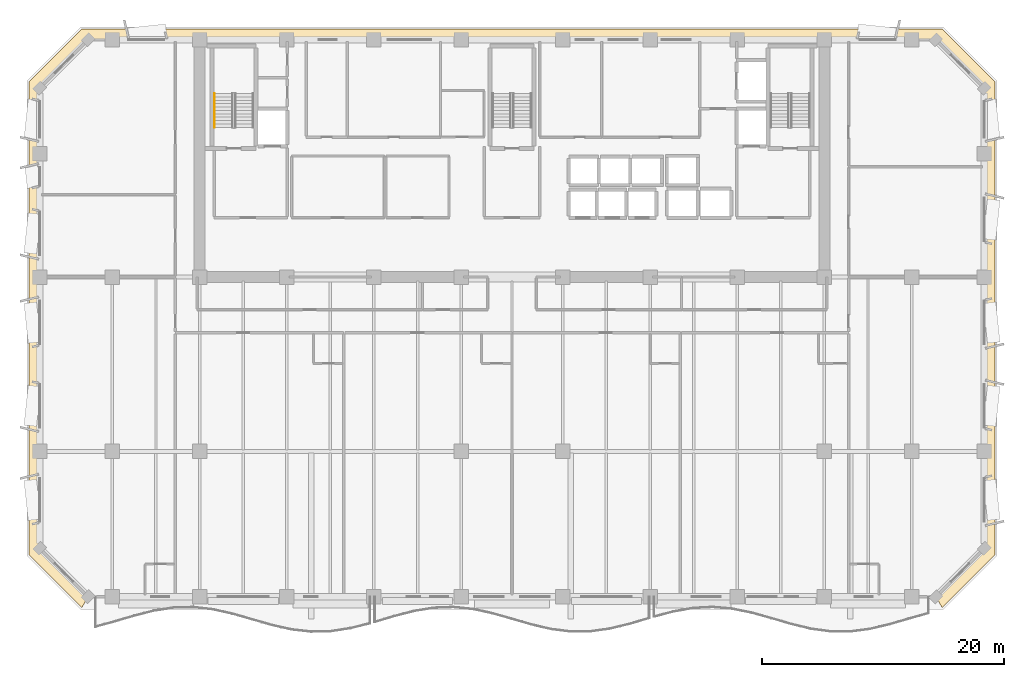
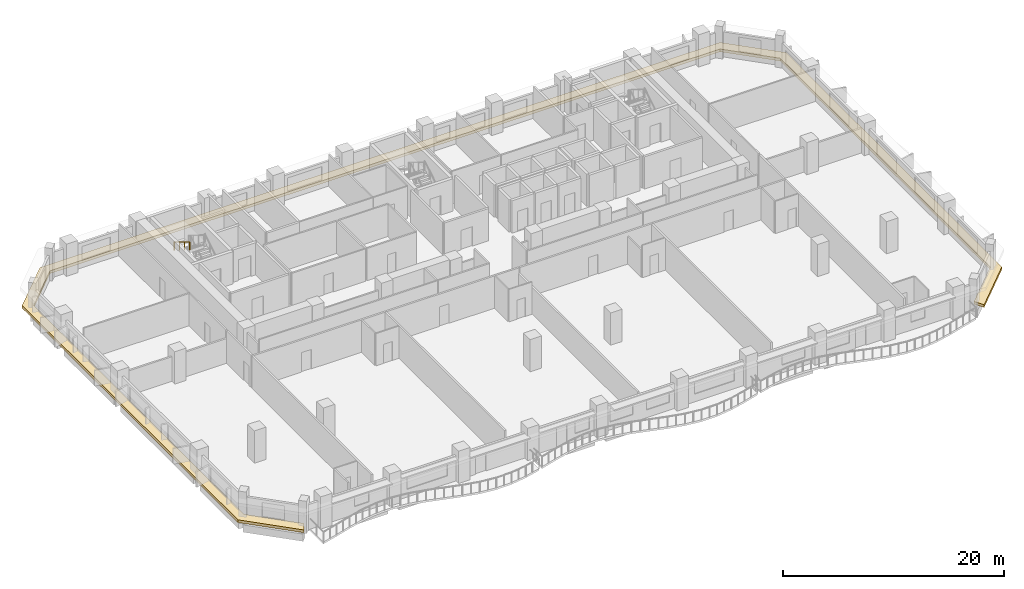
# One storey, part 11 of 14: 1 covering, 1 railing.
"""IFC4 building model written with IfcOpenShell, lengths in metres."""

from ifc_helpers import new_model, si_unit, direction, frame, origin, origin_2d, place, context, subcontext, project, spatial, polyline, rectangle, outline, extrude, material, layer, layer_set, type_object, element, save


model = new_model("IFC4")

# Units and contexts
model_context = context("Model", 3, precision=1e-05, world=origin(), true_north=direction((0.0, 1.0)))
body_context = subcontext(model_context, "Body", "Model", "MODEL_VIEW")
ifc_project = project(units=[si_unit("LENGTHUNIT", "METRE"), si_unit("AREAUNIT", "SQUARE_METRE"), si_unit("VOLUMEUNIT", "CUBIC_METRE"), si_unit("PLANEANGLEUNIT", "RADIAN"), si_unit("MASSUNIT", "GRAM", prefix="KILO")], contexts=[model_context])

# Site, building, storey
site_placement = place(None, origin())
site = spatial("IfcSite", under=ifc_project, at=site_placement, CompositionType="ELEMENT")
building_placement = place(site_placement, origin())
building = spatial("IfcBuilding", under=site, at=building_placement, Name="Kaelvorn Grand Hotel", CompositionType="ELEMENT")
storey_placement = place(building_placement, frame((0.0, 0.0, 220.550048828125)))
storey = spatial("IfcBuildingStorey", under=building, at=storey_placement, Name="L54", CompositionType="ELEMENT", Elevation=220.550048828125)

# Covering
ifc_material_1 = material(Name="Precast concrete C45/55", Category="concrete")
ifc_layer = layer(ifc_material_1, 0.219970703125)
ifc_layer_set = layer_set([ifc_layer], Name="Precast concrete C45/55")
covering_type = type_object("IfcCoveringType", Name="COV-BAND-STREAMLINE-SILL", PredefinedType="CLADDING", material=ifc_layer_set)
covering_placement = place(storey_placement, frame((0.0, 0.0, 0.449951171875)))
element("IfcCovering", 1, at=covering_placement, inside=storey, type_object=covering_type, Name="L54 Streamline Moderne Wraparound Horizontal Sill Spandrel Band", PredefinedType="CLADDING", context=body_context, shape_type="SweptSolid", body=[
    extrude(outline(polyline([(77.515380859375, 2.1201171875), (81.8798828125, 6.484619140625), (81.8798828125, 45.515380859375), (77.515380859375, 49.8798828125), (6.484619140625, 49.8798828125), (2.1201171875, 45.515380859375), (2.1201171875, 6.484619140625), (6.484619140625, 2.1201171875), (7.017578125, 3.030029296875), (3.030029296875, 7.017578125), (3.030029296875, 44.982421875), (7.017578125, 48.969970703125), (76.982421875, 48.969970703125), (80.969970703125, 44.982421875), (80.969970703125, 7.017578125), (76.982421875, 3.030029296875), (77.515380859375, 2.1201171875)])), origin(), (0.0, 0.0, 1.0), 0.300048828125),
])

# Railing
ifc_material_2 = material(Name="Stainless Steel", Category="steel")
railing_type = type_object("IfcRailingType", Name="RL-HANDRAIL-900", PredefinedType="HANDRAIL", material=ifc_material_2)
railing_placement = place(storey_placement, frame((17.449951171875, 44.56005859375, 2.07275390625)))
element("IfcRailing", 2, at=railing_placement, inside=storey, type_object=railing_type, Name="L54 ST1 stair handrail 2", PredefinedType="HANDRAIL", context=body_context, shape_type="SweptSolid", body=[
    extrude(rectangle(XDim=0.048095703125, YDim=0.048095703125, at=origin_2d()), frame((0.0, 0.0, 0.8759765625), z_axis=(0.0, -0.851089632645, 0.525020415988), x_axis=(1.0, 0.0, 0.0)), (0.0, 0.0, 1.0), 3.2900390625),
    extrude(rectangle(XDim=0.0419921875, YDim=0.0419921875, at=origin_2d()), origin(), (0.0, 0.0, 1.0), 0.851806640625),
    extrude(rectangle(XDim=0.0419921875, YDim=0.0419921875, at=origin_2d()), frame((0.0, -0.933349609375, 0.57568359375)), (0.0, 0.0, 1.0), 0.851806640625),
    extrude(rectangle(XDim=0.0419921875, YDim=0.0419921875, at=origin_2d()), frame((0.0, -1.86669921875, 1.151611328125)), (0.0, 0.0, 1.0), 0.851806640625),
    extrude(rectangle(XDim=0.0419921875, YDim=0.0419921875, at=origin_2d()), frame((0.0, -2.800048828125, 1.727294921875)), (0.0, 0.0, 1.0), 0.851806640625),
])

save(model, "model.ifc")
